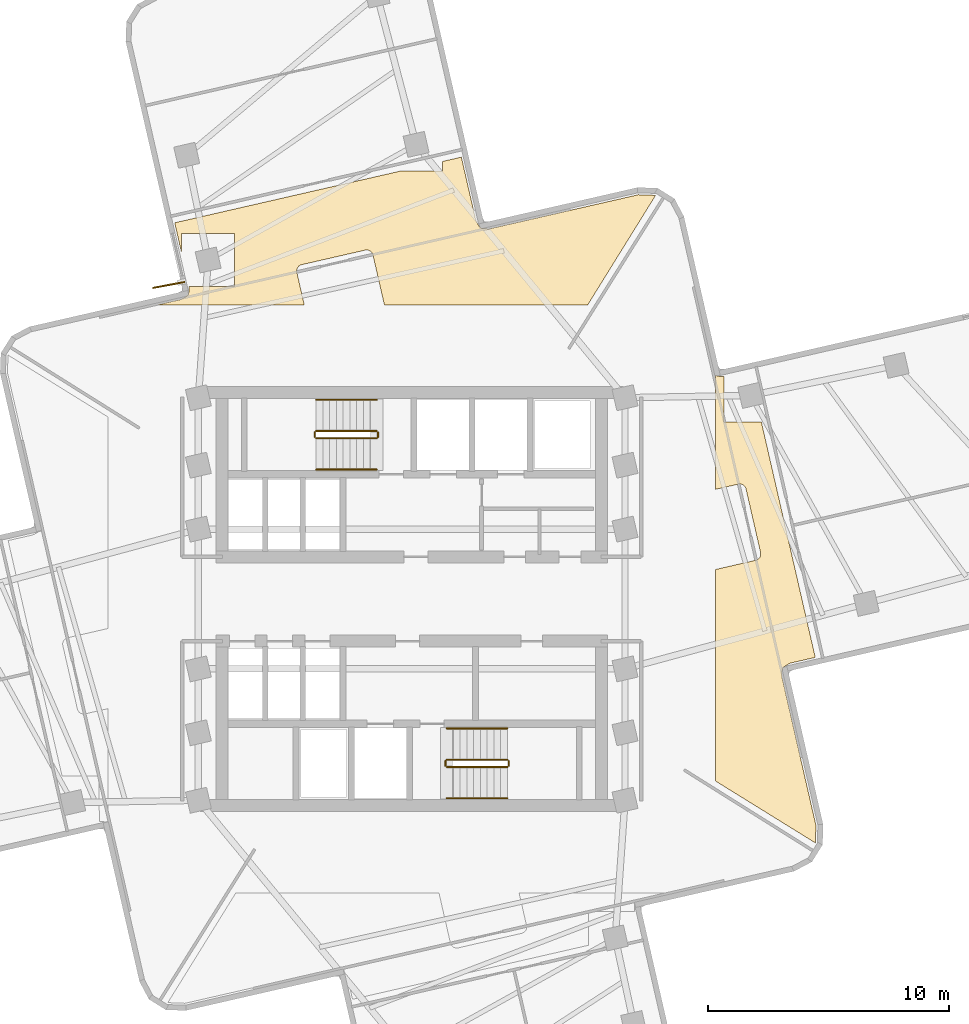
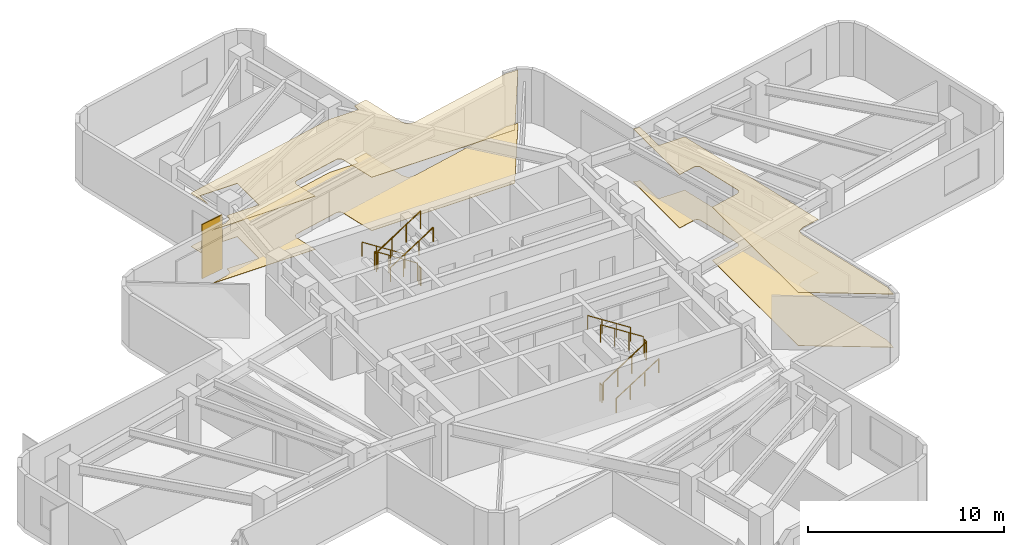
# One storey, part 7 of 7: 12 railings, 4 coverings, 1 shading device.
"""IFC4 building model written with IfcOpenShell, lengths in metres."""

from ifc_helpers import new_model, si_unit, direction, frame, origin, origin_2d, place, context, subcontext, project, spatial, polyline, rectangle, circle, outline, extrude, material, layer, layer_set, type_object, element, save


model = new_model("IFC4")

# Units and contexts
model_context = context("Model", 3, precision=1e-05, world=origin(), true_north=direction((0.0, 1.0)))
body_context = subcontext(model_context, "Body", "Model", "MODEL_VIEW")
ifc_project = project(units=[si_unit("LENGTHUNIT", "METRE"), si_unit("AREAUNIT", "SQUARE_METRE"), si_unit("VOLUMEUNIT", "CUBIC_METRE"), si_unit("PLANEANGLEUNIT", "RADIAN"), si_unit("MASSUNIT", "GRAM", prefix="KILO")], contexts=[model_context])

# Site, building, storey
site_placement = place(None, origin())
site = spatial("IfcSite", under=ifc_project, at=site_placement, CompositionType="ELEMENT")
building_placement = place(site_placement, origin())
building = spatial("IfcBuilding", under=site, at=building_placement, Name="Solmarez Civic Tower", CompositionType="ELEMENT")
storey_placement = place(building_placement, frame((0.0, 0.0, 116.280029296875)))
storey = spatial("IfcBuildingStorey", under=building, at=storey_placement, Name="L30", CompositionType="ELEMENT", Elevation=116.280029296875)

# Coverings
ifc_material_1 = material(Name="Perforated Mineral-Fibre Acoustic Ceiling")
ifc_layer_1 = layer(ifc_material_1, 0.02490234375)
ifc_layer_set_1 = layer_set([ifc_layer_1], Name="Perforated Mineral-Fibre Acoustic Ceiling")
covering_type_1 = type_object("IfcCoveringType", Name="COV-CEIL-ACOUSTIC", PredefinedType="CEILING", material=ifc_layer_set_1)
covering_1_placement = place(storey_placement, frame((0.0, 0.0, 3.31494140625)))
element("IfcCovering", 1, at=covering_1_placement, inside=storey, type_object=covering_type_1, Name="L30 Suspended Acoustic Ceiling 1", PredefinedType="CEILING", context=body_context, shape_type="SweptSolid", body=[
    extrude(outline(polyline([(-9.83203125, 15.60888671875), (-9.544921875, 14.35205078125), (-9.544921875, 15.1640625), (-7.344970703125, 15.1640625), (-7.344970703125, 12.964111328125), (-9.23388671875, 12.962890625), (-9.23388671875, 12.9560546875), (-9.23388671875, 12.947998046875), (-9.239990234375, 12.77587890625), (-9.241943359375, 12.7529296875), (-9.242919921875, 12.748046875), (-9.243896484375, 12.741943359375), (-9.24609375, 12.72509765625), (-9.25, 12.708984375), (-9.251953125, 12.701904296875), (-9.261962890625, 12.675048828125), (-9.264892578125, 12.66796875), (-9.26806640625, 12.660888671875), (-9.277099609375, 12.64306640625), (-9.287109375, 12.6259765625), (-9.291015625, 12.6201171875), (-9.304931640625, 12.60107421875), (-9.31005859375, 12.594970703125), (-9.31494140625, 12.589111328125), (-9.327880859375, 12.573974609375), (-9.343017578125, 12.56103515625), (-9.34912109375, 12.555908203125), (-9.367919921875, 12.5419921875), (-9.3740234375, 12.5380859375), (-9.386962890625, 12.530029296875), (-9.39404296875, 12.52587890625), (-9.39990234375, 12.52294921875), (-9.552001953125, 12.44189453125), (-9.556884765625, 12.43896484375), (-9.56298828125, 12.43603515625), (-9.591064453125, 12.424072265625), (-9.596923828125, 12.422119140625), (-9.60693359375, 12.4189453125), (-9.614013671875, 12.4169921875), (-9.625, 12.4150390625), (-10.56201171875, 12.199951171875), (-4.45703125, 12.199951171875), (-4.764892578125, 13.548095703125), (-4.76708984375, 13.553955078125), (-4.76806640625, 13.55908203125), (-4.77099609375, 13.580078125), (-4.77197265625, 13.60205078125), (-4.77197265625, 13.611083984375), (-4.77099609375, 13.633056640625), (-4.76806640625, 13.654052734375), (-4.76708984375, 13.658935546875), (-4.76611328125, 13.6640625), (-4.759033203125, 13.69091796875), (-4.756103515625, 13.699951171875), (-4.7470703125, 13.721923828125), (-4.736083984375, 13.742919921875), (-4.73291015625, 13.748046875), (-4.721923828125, 13.763916015625), (-4.7109375, 13.778076171875), (-4.7060546875, 13.783935546875), (-4.697998046875, 13.7939453125), (-4.68408203125, 13.80810546875), (-4.66796875, 13.821044921875), (-4.652099609375, 13.8330078125), (-4.64404296875, 13.837890625), (-4.615966796875, 13.85205078125), (-4.60693359375, 13.85595703125), (-4.60009765625, 13.85888671875), (-4.594970703125, 13.861083984375), (-4.5791015625, 13.866943359375), (-4.56201171875, 13.87109375), (-1.929931640625, 14.47412109375), (-1.924072265625, 14.47607421875), (-1.9189453125, 14.47705078125), (-1.89794921875, 14.47998046875), (-1.8759765625, 14.48095703125), (-1.866943359375, 14.48095703125), (-1.844970703125, 14.47998046875), (-1.823974609375, 14.47705078125), (-1.819091796875, 14.47607421875), (-1.81396484375, 14.47509765625), (-1.787109375, 14.468017578125), (-1.778076171875, 14.465087890625), (-1.756103515625, 14.4560546875), (-1.735107421875, 14.445068359375), (-1.72998046875, 14.44189453125), (-1.714111328125, 14.430908203125), (-1.699951171875, 14.419921875), (-1.694091796875, 14.4150390625), (-1.68408203125, 14.406982421875), (-1.669921875, 14.39306640625), (-1.656982421875, 14.376953125), (-1.64501953125, 14.361083984375), (-1.639892578125, 14.35302734375), (-1.6259765625, 14.324951171875), (-1.6220703125, 14.31591796875), (-1.618896484375, 14.30908203125), (-1.616943359375, 14.303955078125), (-1.611083984375, 14.2880859375), (-1.60693359375, 14.27099609375), (-1.132080078125, 12.199951171875), (7.301025390625, 12.199951171875), (10.116943359375, 16.742919921875), (10.111083984375, 16.74609375), (9.403076171875, 16.77294921875), (3.26708984375, 15.367919921875), (3.25390625, 15.364013671875), (3.23095703125, 15.360107421875), (3.20703125, 15.35888671875), (3.193115234375, 15.35888671875), (3.18505859375, 15.35888671875), (3.012939453125, 15.364990234375), (2.993896484375, 15.366943359375), (2.98193359375, 15.367919921875), (2.97509765625, 15.368896484375), (2.952880859375, 15.3740234375), (2.945068359375, 15.3759765625), (2.927978515625, 15.381103515625), (2.910888671875, 15.386962890625), (2.89697265625, 15.39306640625), (2.87890625, 15.402099609375), (2.862060546875, 15.412109375), (2.85595703125, 15.416015625), (2.8369140625, 15.429931640625), (2.8310546875, 15.43505859375), (2.824951171875, 15.43994140625), (2.81005859375, 15.452880859375), (2.797119140625, 15.468017578125), (2.7919921875, 15.47412109375), (2.778076171875, 15.492919921875), (2.77001953125, 15.5048828125), (2.759033203125, 15.52392578125), (2.677978515625, 15.676025390625), (2.669921875, 15.69189453125), (2.6669921875, 15.698974609375), (2.659912109375, 15.716064453125), (2.657958984375, 15.721923828125), (2.655029296875, 15.73193359375), (2.653076171875, 15.739013671875), (2.65087890625, 15.75), (2.06005859375, 18.33203125), (1.282958984375, 18.155029296875), (1.282958984375, 17.760009765625), (-0.43994140625, 17.760009765625), (-9.83203125, 15.60888671875)])), origin(), (0.0, 0.0, 1.0), 0.025146484375),
])
covering_2_placement = place(storey_placement, frame((0.0, 0.0, 3.31494140625)))
element("IfcCovering", 2, at=covering_2_placement, inside=storey, type_object=covering_type_1, Name="L30 Suspended Acoustic Ceiling 3", PredefinedType="CEILING", context=body_context, shape_type="SweptSolid", body=[
    extrude(outline(polyline([(12.60009765625, 4.548095703125), (13.548095703125, 4.764892578125), (13.553955078125, 4.76708984375), (13.55908203125, 4.76806640625), (13.580078125, 4.77099609375), (13.60205078125, 4.77197265625), (13.611083984375, 4.77197265625), (13.633056640625, 4.77099609375), (13.654052734375, 4.76806640625), (13.658935546875, 4.76708984375), (13.6640625, 4.76611328125), (13.69091796875, 4.759033203125), (13.699951171875, 4.756103515625), (13.721923828125, 4.7470703125), (13.742919921875, 4.736083984375), (13.748046875, 4.73291015625), (13.763916015625, 4.721923828125), (13.778076171875, 4.7109375), (13.783935546875, 4.7060546875), (13.7939453125, 4.697998046875), (13.80810546875, 4.68408203125), (13.821044921875, 4.66796875), (13.8330078125, 4.652099609375), (13.837890625, 4.64404296875), (13.85205078125, 4.615966796875), (13.85595703125, 4.60693359375), (13.85888671875, 4.60009765625), (13.861083984375, 4.594970703125), (13.866943359375, 4.5791015625), (13.87109375, 4.56201171875), (14.47412109375, 1.929931640625), (14.47607421875, 1.924072265625), (14.47705078125, 1.9189453125), (14.47998046875, 1.89794921875), (14.48095703125, 1.8759765625), (14.48095703125, 1.866943359375), (14.47998046875, 1.844970703125), (14.47705078125, 1.823974609375), (14.47607421875, 1.819091796875), (14.47509765625, 1.81396484375), (14.468017578125, 1.787109375), (14.465087890625, 1.778076171875), (14.4560546875, 1.756103515625), (14.445068359375, 1.735107421875), (14.44189453125, 1.72998046875), (14.430908203125, 1.714111328125), (14.419921875, 1.699951171875), (14.4150390625, 1.694091796875), (14.406982421875, 1.68408203125), (14.39306640625, 1.669921875), (14.376953125, 1.656982421875), (14.361083984375, 1.64501953125), (14.35302734375, 1.639892578125), (14.324951171875, 1.6259765625), (14.31591796875, 1.6220703125), (14.30908203125, 1.618896484375), (14.303955078125, 1.616943359375), (14.2880859375, 1.611083984375), (14.27099609375, 1.60693359375), (12.60009765625, 1.222900390625), (12.60009765625, -7.550048828125), (16.742919921875, -10.116943359375), (16.74609375, -10.111083984375), (16.77294921875, -9.403076171875), (15.367919921875, -3.26708984375), (15.364013671875, -3.25390625), (15.360107421875, -3.23095703125), (15.35888671875, -3.20703125), (15.35888671875, -3.193115234375), (15.35888671875, -3.18505859375), (15.364990234375, -3.012939453125), (15.366943359375, -2.993896484375), (15.367919921875, -2.98193359375), (15.368896484375, -2.97509765625), (15.3740234375, -2.952880859375), (15.3759765625, -2.945068359375), (15.381103515625, -2.927978515625), (15.386962890625, -2.910888671875), (15.39306640625, -2.89697265625), (15.402099609375, -2.87890625), (15.412109375, -2.862060546875), (15.416015625, -2.85595703125), (15.429931640625, -2.8369140625), (15.43505859375, -2.8310546875), (15.43994140625, -2.824951171875), (15.452880859375, -2.81005859375), (15.468017578125, -2.797119140625), (15.47412109375, -2.7919921875), (15.492919921875, -2.778076171875), (15.5048828125, -2.77001953125), (15.52392578125, -2.759033203125), (15.676025390625, -2.677978515625), (15.69189453125, -2.669921875), (15.698974609375, -2.6669921875), (15.716064453125, -2.659912109375), (15.721923828125, -2.657958984375), (15.73193359375, -2.655029296875), (15.739013671875, -2.653076171875), (15.75, -2.65087890625), (16.742919921875, -2.423095703125), (14.506103515625, 7.344970703125), (12.964111328125, 7.344970703125), (12.962890625, 9.23388671875), (12.9560546875, 9.23388671875), (12.947998046875, 9.23388671875), (12.77587890625, 9.239990234375), (12.7529296875, 9.241943359375), (12.748046875, 9.242919921875), (12.741943359375, 9.243896484375), (12.72509765625, 9.24609375), (12.708984375, 9.25), (12.701904296875, 9.251953125), (12.675048828125, 9.261962890625), (12.66796875, 9.264892578125), (12.660888671875, 9.26806640625), (12.64306640625, 9.277099609375), (12.6259765625, 9.287109375), (12.6201171875, 9.291015625), (12.60107421875, 9.304931640625), (12.60009765625, 4.548095703125)])), origin(), (0.0, 0.0, 1.0), 0.025146484375),
])
ifc_material_2 = material(Name="Polished Tropical Stone Terrazzo Flooring", Category="masonry")
ifc_layer_2 = layer(ifc_material_2, 0.02001953125)
ifc_layer_set_2 = layer_set([ifc_layer_2], Name="Polished Tropical Stone Terrazzo Flooring")
covering_type_2 = type_object("IfcCoveringType", Name="COV-FLOOR-TERRAZZO", PredefinedType="FLOORING", material=ifc_layer_set_2)
covering_3_placement = place(storey_placement, origin())
element("IfcCovering", 3, at=covering_3_placement, inside=storey, type_object=covering_type_2, Name="L30 Terrazzo Floor Finish 1", PredefinedType="FLOORING", context=body_context, shape_type="SweptSolid", body=[
    extrude(outline(polyline([(-9.83203125, 15.60888671875), (-9.544921875, 14.35205078125), (-9.544921875, 15.1640625), (-7.344970703125, 15.1640625), (-7.344970703125, 12.964111328125), (-9.23388671875, 12.962890625), (-9.23388671875, 12.9560546875), (-9.23388671875, 12.947998046875), (-9.239990234375, 12.77587890625), (-9.241943359375, 12.7529296875), (-9.242919921875, 12.748046875), (-9.243896484375, 12.741943359375), (-9.24609375, 12.72509765625), (-9.25, 12.708984375), (-9.251953125, 12.701904296875), (-9.261962890625, 12.675048828125), (-9.264892578125, 12.66796875), (-9.26806640625, 12.660888671875), (-9.277099609375, 12.64306640625), (-9.287109375, 12.6259765625), (-9.291015625, 12.6201171875), (-9.304931640625, 12.60107421875), (-9.31005859375, 12.594970703125), (-9.31494140625, 12.589111328125), (-9.327880859375, 12.573974609375), (-9.343017578125, 12.56103515625), (-9.34912109375, 12.555908203125), (-9.367919921875, 12.5419921875), (-9.3740234375, 12.5380859375), (-9.386962890625, 12.530029296875), (-9.39404296875, 12.52587890625), (-9.39990234375, 12.52294921875), (-9.552001953125, 12.44189453125), (-9.556884765625, 12.43896484375), (-9.56298828125, 12.43603515625), (-9.591064453125, 12.424072265625), (-9.596923828125, 12.422119140625), (-9.60693359375, 12.4189453125), (-9.614013671875, 12.4169921875), (-9.625, 12.4150390625), (-10.56201171875, 12.199951171875), (-4.45703125, 12.199951171875), (-4.764892578125, 13.548095703125), (-4.76708984375, 13.553955078125), (-4.76806640625, 13.55908203125), (-4.77099609375, 13.580078125), (-4.77197265625, 13.60205078125), (-4.77197265625, 13.611083984375), (-4.77099609375, 13.633056640625), (-4.76806640625, 13.654052734375), (-4.76708984375, 13.658935546875), (-4.76611328125, 13.6640625), (-4.759033203125, 13.69091796875), (-4.756103515625, 13.699951171875), (-4.7470703125, 13.721923828125), (-4.736083984375, 13.742919921875), (-4.73291015625, 13.748046875), (-4.721923828125, 13.763916015625), (-4.7109375, 13.778076171875), (-4.7060546875, 13.783935546875), (-4.697998046875, 13.7939453125), (-4.68408203125, 13.80810546875), (-4.66796875, 13.821044921875), (-4.652099609375, 13.8330078125), (-4.64404296875, 13.837890625), (-4.615966796875, 13.85205078125), (-4.60693359375, 13.85595703125), (-4.60009765625, 13.85888671875), (-4.594970703125, 13.861083984375), (-4.5791015625, 13.866943359375), (-4.56201171875, 13.87109375), (-1.929931640625, 14.47412109375), (-1.924072265625, 14.47607421875), (-1.9189453125, 14.47705078125), (-1.89794921875, 14.47998046875), (-1.8759765625, 14.48095703125), (-1.866943359375, 14.48095703125), (-1.844970703125, 14.47998046875), (-1.823974609375, 14.47705078125), (-1.819091796875, 14.47607421875), (-1.81396484375, 14.47509765625), (-1.787109375, 14.468017578125), (-1.778076171875, 14.465087890625), (-1.756103515625, 14.4560546875), (-1.735107421875, 14.445068359375), (-1.72998046875, 14.44189453125), (-1.714111328125, 14.430908203125), (-1.699951171875, 14.419921875), (-1.694091796875, 14.4150390625), (-1.68408203125, 14.406982421875), (-1.669921875, 14.39306640625), (-1.656982421875, 14.376953125), (-1.64501953125, 14.361083984375), (-1.639892578125, 14.35302734375), (-1.6259765625, 14.324951171875), (-1.6220703125, 14.31591796875), (-1.618896484375, 14.30908203125), (-1.616943359375, 14.303955078125), (-1.611083984375, 14.2880859375), (-1.60693359375, 14.27099609375), (-1.132080078125, 12.199951171875), (7.301025390625, 12.199951171875), (10.116943359375, 16.742919921875), (10.111083984375, 16.74609375), (9.403076171875, 16.77294921875), (3.26708984375, 15.367919921875), (3.25390625, 15.364013671875), (3.23095703125, 15.360107421875), (3.20703125, 15.35888671875), (3.193115234375, 15.35888671875), (3.18505859375, 15.35888671875), (3.012939453125, 15.364990234375), (2.993896484375, 15.366943359375), (2.98193359375, 15.367919921875), (2.97509765625, 15.368896484375), (2.952880859375, 15.3740234375), (2.945068359375, 15.3759765625), (2.927978515625, 15.381103515625), (2.910888671875, 15.386962890625), (2.89697265625, 15.39306640625), (2.87890625, 15.402099609375), (2.862060546875, 15.412109375), (2.85595703125, 15.416015625), (2.8369140625, 15.429931640625), (2.8310546875, 15.43505859375), (2.824951171875, 15.43994140625), (2.81005859375, 15.452880859375), (2.797119140625, 15.468017578125), (2.7919921875, 15.47412109375), (2.778076171875, 15.492919921875), (2.77001953125, 15.5048828125), (2.759033203125, 15.52392578125), (2.677978515625, 15.676025390625), (2.669921875, 15.69189453125), (2.6669921875, 15.698974609375), (2.659912109375, 15.716064453125), (2.657958984375, 15.721923828125), (2.655029296875, 15.73193359375), (2.653076171875, 15.739013671875), (2.65087890625, 15.75), (2.06005859375, 18.33203125), (1.282958984375, 18.155029296875), (1.282958984375, 17.760009765625), (-0.43994140625, 17.760009765625), (-9.83203125, 15.60888671875)])), origin(), (0.0, 0.0, 1.0), 0.02001953125),
])
covering_4_placement = place(storey_placement, origin())
element("IfcCovering", 4, at=covering_4_placement, inside=storey, type_object=covering_type_2, Name="L30 Terrazzo Floor Finish 3", PredefinedType="FLOORING", context=body_context, shape_type="SweptSolid", body=[
    extrude(outline(polyline([(12.60009765625, 4.548095703125), (13.548095703125, 4.764892578125), (13.553955078125, 4.76708984375), (13.55908203125, 4.76806640625), (13.580078125, 4.77099609375), (13.60205078125, 4.77197265625), (13.611083984375, 4.77197265625), (13.633056640625, 4.77099609375), (13.654052734375, 4.76806640625), (13.658935546875, 4.76708984375), (13.6640625, 4.76611328125), (13.69091796875, 4.759033203125), (13.699951171875, 4.756103515625), (13.721923828125, 4.7470703125), (13.742919921875, 4.736083984375), (13.748046875, 4.73291015625), (13.763916015625, 4.721923828125), (13.778076171875, 4.7109375), (13.783935546875, 4.7060546875), (13.7939453125, 4.697998046875), (13.80810546875, 4.68408203125), (13.821044921875, 4.66796875), (13.8330078125, 4.652099609375), (13.837890625, 4.64404296875), (13.85205078125, 4.615966796875), (13.85595703125, 4.60693359375), (13.85888671875, 4.60009765625), (13.861083984375, 4.594970703125), (13.866943359375, 4.5791015625), (13.87109375, 4.56201171875), (14.47412109375, 1.929931640625), (14.47607421875, 1.924072265625), (14.47705078125, 1.9189453125), (14.47998046875, 1.89794921875), (14.48095703125, 1.8759765625), (14.48095703125, 1.866943359375), (14.47998046875, 1.844970703125), (14.47705078125, 1.823974609375), (14.47607421875, 1.819091796875), (14.47509765625, 1.81396484375), (14.468017578125, 1.787109375), (14.465087890625, 1.778076171875), (14.4560546875, 1.756103515625), (14.445068359375, 1.735107421875), (14.44189453125, 1.72998046875), (14.430908203125, 1.714111328125), (14.419921875, 1.699951171875), (14.4150390625, 1.694091796875), (14.406982421875, 1.68408203125), (14.39306640625, 1.669921875), (14.376953125, 1.656982421875), (14.361083984375, 1.64501953125), (14.35302734375, 1.639892578125), (14.324951171875, 1.6259765625), (14.31591796875, 1.6220703125), (14.30908203125, 1.618896484375), (14.303955078125, 1.616943359375), (14.2880859375, 1.611083984375), (14.27099609375, 1.60693359375), (12.60009765625, 1.222900390625), (12.60009765625, -7.550048828125), (16.742919921875, -10.116943359375), (16.74609375, -10.111083984375), (16.77294921875, -9.403076171875), (15.367919921875, -3.26708984375), (15.364013671875, -3.25390625), (15.360107421875, -3.23095703125), (15.35888671875, -3.20703125), (15.35888671875, -3.193115234375), (15.35888671875, -3.18505859375), (15.364990234375, -3.012939453125), (15.366943359375, -2.993896484375), (15.367919921875, -2.98193359375), (15.368896484375, -2.97509765625), (15.3740234375, -2.952880859375), (15.3759765625, -2.945068359375), (15.381103515625, -2.927978515625), (15.386962890625, -2.910888671875), (15.39306640625, -2.89697265625), (15.402099609375, -2.87890625), (15.412109375, -2.862060546875), (15.416015625, -2.85595703125), (15.429931640625, -2.8369140625), (15.43505859375, -2.8310546875), (15.43994140625, -2.824951171875), (15.452880859375, -2.81005859375), (15.468017578125, -2.797119140625), (15.47412109375, -2.7919921875), (15.492919921875, -2.778076171875), (15.5048828125, -2.77001953125), (15.52392578125, -2.759033203125), (15.676025390625, -2.677978515625), (15.69189453125, -2.669921875), (15.698974609375, -2.6669921875), (15.716064453125, -2.659912109375), (15.721923828125, -2.657958984375), (15.73193359375, -2.655029296875), (15.739013671875, -2.653076171875), (15.75, -2.65087890625), (16.742919921875, -2.423095703125), (14.506103515625, 7.344970703125), (12.964111328125, 7.344970703125), (12.962890625, 9.23388671875), (12.9560546875, 9.23388671875), (12.947998046875, 9.23388671875), (12.77587890625, 9.239990234375), (12.7529296875, 9.241943359375), (12.748046875, 9.242919921875), (12.741943359375, 9.243896484375), (12.72509765625, 9.24609375), (12.708984375, 9.25), (12.701904296875, 9.251953125), (12.675048828125, 9.261962890625), (12.66796875, 9.264892578125), (12.660888671875, 9.26806640625), (12.64306640625, 9.277099609375), (12.6259765625, 9.287109375), (12.6201171875, 9.291015625), (12.60107421875, 9.304931640625), (12.60009765625, 4.548095703125)])), origin(), (0.0, 0.0, 1.0), 0.02001953125),
])

# Shading device
ifc_material_3 = material(Name="Bronze Anodised Aluminium EN AW-6063 T6", Category="aluminium")
ifc_layer_3 = layer(ifc_material_3, 0.06005859375)
ifc_layer_set_3 = layer_set([ifc_layer_3], Name="Bronze Anodised Aluminium EN AW-6063 T6")
shading_device_type = type_object("IfcShadingDeviceType", Name="FIN-BRONZE-Z34", PredefinedType="USERDEFINED", material=ifc_layer_set_3)
shading_device_placement = place(storey_placement, frame((-10.077880859375, 13.030029296875, -0.0400390625), z_axis=(0.0, 0.0, 1.0), x_axis=(-0.98327080687, -0.182149719621, 0.0)))
element("IfcShadingDevice", 5, at=shading_device_placement, inside=storey, type_object=shading_device_type, Name="L30 Anodised Bronze Solar Fin FIN-L30-04", ObjectType="FIN", PredefinedType="USERDEFINED", context=body_context, shape_type="SweptSolid", body=[
    extrude(rectangle(XDim=1.35009765625, YDim=0.06005859375, at=origin_2d()), origin(), (0.0, 0.0, 1.0), 3.3798828125),
])

# Railings
ifc_material_4 = material(Name="Painted Steel Stairwell Safety Guard", Category="steel")
railing_type_1 = type_object("IfcRailingType", Name="GUARD-STAIR-1120", PredefinedType="BALUSTRADE", material=ifc_material_4)
railing_1_placement = place(storey_placement, frame((-1.449951171875, 6.969970703125, 0.179931640625)))
element("IfcRailing", 6, at=railing_1_placement, inside=storey, type_object=railing_type_1, Name="L30 ST-1 stair guard 1", PredefinedType="BALUSTRADE", context=body_context, shape_type="SweptSolid", body=[
    extrude(circle(Radius=0.02392578125, at=origin_2d()), frame((0.0, 0.0, 1.09619140625), z_axis=(-0.841162588446, 0.0, 0.540782303519), x_axis=(0.0, -1.0, 0.0)), (0.0, 0.0, 1.0), 2.995849609375),
    extrude(circle(Radius=0.02099609375, at=origin_2d()), origin(), (0.0, 0.0, 1.0), 1.072021484375),
    extrude(circle(Radius=0.02099609375, at=origin_2d()), frame((-0.840087890625, 0.0, 0.5400390625)), (0.0, 0.0, 1.0), 1.072021484375),
    extrude(circle(Radius=0.02099609375, at=origin_2d()), frame((-1.679931640625, 0.0, 1.080078125)), (0.0, 0.0, 1.0), 1.072021484375),
    extrude(circle(Radius=0.02099609375, at=origin_2d()), frame((-2.52001953125, 0.0, 1.6201171875)), (0.0, 0.0, 1.0), 1.072021484375),
])
railing_2_placement = place(storey_placement, frame((-4.02001953125, 6.919921875, 1.800048828125)))
element("IfcRailing", 7, at=railing_2_placement, inside=storey, type_object=railing_type_1, Name="L30 ST-1 stair guard 2", PredefinedType="BALUSTRADE", context=body_context, shape_type="SweptSolid", body=[
    extrude(circle(Radius=0.02392578125, at=origin_2d()), frame((0.0, 0.0, 1.09619140625), z_axis=(0.0, -1.0, 0.0), x_axis=(1.0, 0.0, 0.0)), (0.0, 0.0, 1.0), 0.199951171875),
    extrude(circle(Radius=0.02099609375, at=origin_2d()), origin(), (0.0, 0.0, 1.0), 1.072021484375),
    extrude(circle(Radius=0.02099609375, at=origin_2d()), frame((0.0, -0.199951171875, 0.0)), (0.0, 0.0, 1.0), 1.072021484375),
])
railing_3_placement = place(storey_placement, frame((-3.969970703125, 6.669921875, 1.97998046875)))
element("IfcRailing", 8, at=railing_3_placement, inside=storey, type_object=railing_type_1, Name="L30 ST-1 stair guard 3", PredefinedType="BALUSTRADE", context=body_context, shape_type="SweptSolid", body=[
    extrude(circle(Radius=0.02392578125, at=origin_2d()), frame((0.0, 0.0, 1.09619140625), z_axis=(0.841199657755, 0.0, 0.540724639528), x_axis=(0.0, 1.0, 0.0)), (0.0, 0.0, 1.0), 2.995849609375),
    extrude(circle(Radius=0.02099609375, at=origin_2d()), origin(), (0.0, 0.0, 1.0), 1.072021484375),
    extrude(circle(Radius=0.02099609375, at=origin_2d()), frame((0.840087890625, 0.0, 0.5400390625)), (0.0, 0.0, 1.0), 1.072021484375),
    extrude(circle(Radius=0.02099609375, at=origin_2d()), frame((1.679931640625, 0.0, 1.079833984375)), (0.0, 0.0, 1.0), 1.072021484375),
    extrude(circle(Radius=0.02099609375, at=origin_2d()), frame((2.52001953125, 0.0, 1.619873046875)), (0.0, 0.0, 1.0), 1.072021484375),
])
railing_4_placement = place(storey_placement, frame((-1.39990234375, 6.919921875, 0.0)))
element("IfcRailing", 9, at=railing_4_placement, inside=storey, type_object=railing_type_1, Name="L30 ST-1 stair guard 4", PredefinedType="BALUSTRADE", context=body_context, shape_type="SweptSolid", body=[
    extrude(circle(Radius=0.02392578125, at=origin_2d()), frame((0.0, 0.0, 1.09619140625), z_axis=(0.0, -1.0, 0.0), x_axis=(1.0, 0.0, 0.0)), (0.0, 0.0, 1.0), 0.199951171875),
    extrude(circle(Radius=0.02099609375, at=origin_2d()), origin(), (0.0, 0.0, 1.0), 1.072021484375),
    extrude(circle(Radius=0.02099609375, at=origin_2d()), frame((0.0, -0.199951171875, 0.0)), (0.0, 0.0, 1.0), 1.072021484375),
])
railing_5_placement = place(storey_placement, frame((1.449951171875, -6.969970703125, 0.179931640625)))
element("IfcRailing", 10, at=railing_5_placement, inside=storey, type_object=railing_type_1, Name="L30 ST-2 stair guard 1", PredefinedType="BALUSTRADE", context=body_context, shape_type="SweptSolid", body=[
    extrude(circle(Radius=0.02392578125, at=origin_2d()), frame((0.0, 0.0, 1.09619140625), z_axis=(0.841162588446, 0.0, 0.540782303519), x_axis=(0.0, 1.0, 0.0)), (0.0, 0.0, 1.0), 2.995849609375),
    extrude(circle(Radius=0.02099609375, at=origin_2d()), origin(), (0.0, 0.0, 1.0), 1.072021484375),
    extrude(circle(Radius=0.02099609375, at=origin_2d()), frame((0.840087890625, 0.0, 0.5400390625)), (0.0, 0.0, 1.0), 1.072021484375),
    extrude(circle(Radius=0.02099609375, at=origin_2d()), frame((1.679931640625, 0.0, 1.080078125)), (0.0, 0.0, 1.0), 1.072021484375),
    extrude(circle(Radius=0.02099609375, at=origin_2d()), frame((2.52001953125, 0.0, 1.6201171875)), (0.0, 0.0, 1.0), 1.072021484375),
])
railing_6_placement = place(storey_placement, frame((4.02001953125, -6.919921875, 1.800048828125)))
element("IfcRailing", 11, at=railing_6_placement, inside=storey, type_object=railing_type_1, Name="L30 ST-2 stair guard 2", PredefinedType="BALUSTRADE", context=body_context, shape_type="SweptSolid", body=[
    extrude(circle(Radius=0.02392578125, at=origin_2d()), frame((0.0, 0.0, 1.09619140625), z_axis=(0.0, 1.0, 0.0), x_axis=(-1.0, 0.0, 0.0)), (0.0, 0.0, 1.0), 0.199951171875),
    extrude(circle(Radius=0.02099609375, at=origin_2d()), origin(), (0.0, 0.0, 1.0), 1.072021484375),
    extrude(circle(Radius=0.02099609375, at=origin_2d()), frame((0.0, 0.199951171875, 0.0)), (0.0, 0.0, 1.0), 1.072021484375),
])
railing_7_placement = place(storey_placement, frame((3.969970703125, -6.669921875, 1.97998046875)))
element("IfcRailing", 12, at=railing_7_placement, inside=storey, type_object=railing_type_1, Name="L30 ST-2 stair guard 3", PredefinedType="BALUSTRADE", context=body_context, shape_type="SweptSolid", body=[
    extrude(circle(Radius=0.02392578125, at=origin_2d()), frame((0.0, 0.0, 1.09619140625), z_axis=(-0.841199657755, 0.0, 0.540724639528), x_axis=(0.0, -1.0, 0.0)), (0.0, 0.0, 1.0), 2.995849609375),
    extrude(circle(Radius=0.02099609375, at=origin_2d()), origin(), (0.0, 0.0, 1.0), 1.072021484375),
    extrude(circle(Radius=0.02099609375, at=origin_2d()), frame((-0.840087890625, 0.0, 0.5400390625)), (0.0, 0.0, 1.0), 1.072021484375),
    extrude(circle(Radius=0.02099609375, at=origin_2d()), frame((-1.679931640625, 0.0, 1.079833984375)), (0.0, 0.0, 1.0), 1.072021484375),
    extrude(circle(Radius=0.02099609375, at=origin_2d()), frame((-2.52001953125, 0.0, 1.619873046875)), (0.0, 0.0, 1.0), 1.072021484375),
])
railing_8_placement = place(storey_placement, frame((1.39990234375, -6.919921875, 0.0)))
element("IfcRailing", 13, at=railing_8_placement, inside=storey, type_object=railing_type_1, Name="L30 ST-2 stair guard 4", PredefinedType="BALUSTRADE", context=body_context, shape_type="SweptSolid", body=[
    extrude(circle(Radius=0.02392578125, at=origin_2d()), frame((0.0, 0.0, 1.09619140625), z_axis=(0.0, 1.0, 0.0), x_axis=(-1.0, 0.0, 0.0)), (0.0, 0.0, 1.0), 0.199951171875),
    extrude(circle(Radius=0.02099609375, at=origin_2d()), origin(), (0.0, 0.0, 1.0), 1.072021484375),
    extrude(circle(Radius=0.02099609375, at=origin_2d()), frame((0.0, 0.199951171875, 0.0)), (0.0, 0.0, 1.0), 1.072021484375),
])
ifc_material_5 = material(Name="Brushed Stainless Steel Tube Handrail", Category="steel")
railing_type_2 = type_object("IfcRailingType", Name="HANDRAIL-STAIR-900", PredefinedType="HANDRAIL", material=ifc_material_5)
railing_9_placement = place(storey_placement, frame((-1.449951171875, 8.27001953125, 0.179931640625)))
element("IfcRailing", 14, at=railing_9_placement, inside=storey, type_object=railing_type_2, Name="L30 ST-1 stair handrail 1", PredefinedType="HANDRAIL", context=body_context, shape_type="SweptSolid", body=[
    extrude(circle(Radius=0.02392578125, at=origin_2d()), frame((0.0, 0.0, 0.8759765625), z_axis=(-0.841162588446, 0.0, 0.540782303519), x_axis=(0.0, -1.0, 0.0)), (0.0, 0.0, 1.0), 2.995849609375),
    extrude(circle(Radius=0.02099609375, at=origin_2d()), origin(), (0.0, 0.0, 1.0), 0.851806640625),
    extrude(circle(Radius=0.02099609375, at=origin_2d()), frame((-0.840087890625, 0.0, 0.5400390625)), (0.0, 0.0, 1.0), 0.851806640625),
    extrude(circle(Radius=0.02099609375, at=origin_2d()), frame((-1.679931640625, 0.0, 1.080078125)), (0.0, 0.0, 1.0), 0.851806640625),
    extrude(circle(Radius=0.02099609375, at=origin_2d()), frame((-2.52001953125, 0.0, 1.6201171875)), (0.0, 0.0, 1.0), 0.851806640625),
])
railing_10_placement = place(storey_placement, frame((-3.969970703125, 5.3701171875, 1.97998046875)))
element("IfcRailing", 15, at=railing_10_placement, inside=storey, type_object=railing_type_2, Name="L30 ST-1 stair handrail 2", PredefinedType="HANDRAIL", context=body_context, shape_type="SweptSolid", body=[
    extrude(circle(Radius=0.02392578125, at=origin_2d()), frame((0.0, 0.0, 0.8759765625), z_axis=(0.841199657755, 0.0, 0.540724639528), x_axis=(0.0, 1.0, 0.0)), (0.0, 0.0, 1.0), 2.995849609375),
    extrude(circle(Radius=0.02099609375, at=origin_2d()), origin(), (0.0, 0.0, 1.0), 0.851806640625),
    extrude(circle(Radius=0.02099609375, at=origin_2d()), frame((0.840087890625, 0.0, 0.5400390625)), (0.0, 0.0, 1.0), 0.851806640625),
    extrude(circle(Radius=0.02099609375, at=origin_2d()), frame((1.679931640625, 0.0, 1.079833984375)), (0.0, 0.0, 1.0), 0.851806640625),
    extrude(circle(Radius=0.02099609375, at=origin_2d()), frame((2.52001953125, 0.0, 1.619873046875)), (0.0, 0.0, 1.0), 0.851806640625),
])
railing_11_placement = place(storey_placement, frame((1.449951171875, -8.27001953125, 0.179931640625)))
element("IfcRailing", 16, at=railing_11_placement, inside=storey, type_object=railing_type_2, Name="L30 ST-2 stair handrail 1", PredefinedType="HANDRAIL", context=body_context, shape_type="SweptSolid", body=[
    extrude(circle(Radius=0.02392578125, at=origin_2d()), frame((0.0, 0.0, 0.8759765625), z_axis=(0.841162588446, 0.0, 0.540782303519), x_axis=(0.0, 1.0, 0.0)), (0.0, 0.0, 1.0), 2.995849609375),
    extrude(circle(Radius=0.02099609375, at=origin_2d()), origin(), (0.0, 0.0, 1.0), 0.851806640625),
    extrude(circle(Radius=0.02099609375, at=origin_2d()), frame((0.840087890625, 0.0, 0.5400390625)), (0.0, 0.0, 1.0), 0.851806640625),
    extrude(circle(Radius=0.02099609375, at=origin_2d()), frame((1.679931640625, 0.0, 1.080078125)), (0.0, 0.0, 1.0), 0.851806640625),
    extrude(circle(Radius=0.02099609375, at=origin_2d()), frame((2.52001953125, 0.0, 1.6201171875)), (0.0, 0.0, 1.0), 0.851806640625),
])
railing_12_placement = place(storey_placement, frame((3.969970703125, -5.3701171875, 1.97998046875)))
element("IfcRailing", 17, at=railing_12_placement, inside=storey, type_object=railing_type_2, Name="L30 ST-2 stair handrail 2", PredefinedType="HANDRAIL", context=body_context, shape_type="SweptSolid", body=[
    extrude(circle(Radius=0.02392578125, at=origin_2d()), frame((0.0, 0.0, 0.8759765625), z_axis=(-0.841199657755, 0.0, 0.540724639528), x_axis=(0.0, -1.0, 0.0)), (0.0, 0.0, 1.0), 2.995849609375),
    extrude(circle(Radius=0.02099609375, at=origin_2d()), origin(), (0.0, 0.0, 1.0), 0.851806640625),
    extrude(circle(Radius=0.02099609375, at=origin_2d()), frame((-0.840087890625, 0.0, 0.5400390625)), (0.0, 0.0, 1.0), 0.851806640625),
    extrude(circle(Radius=0.02099609375, at=origin_2d()), frame((-1.679931640625, 0.0, 1.079833984375)), (0.0, 0.0, 1.0), 0.851806640625),
    extrude(circle(Radius=0.02099609375, at=origin_2d()), frame((-2.52001953125, 0.0, 1.619873046875)), (0.0, 0.0, 1.0), 0.851806640625),
])

save(model, "model.ifc")
